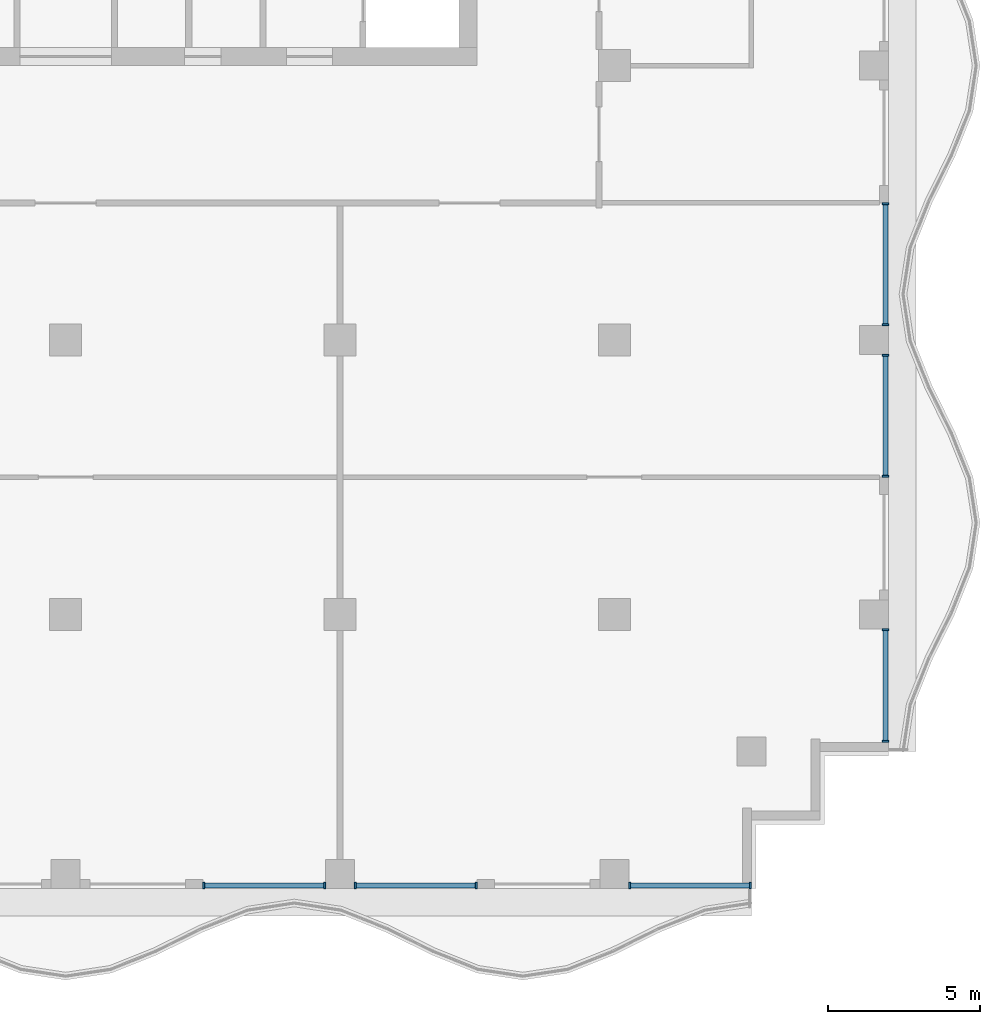
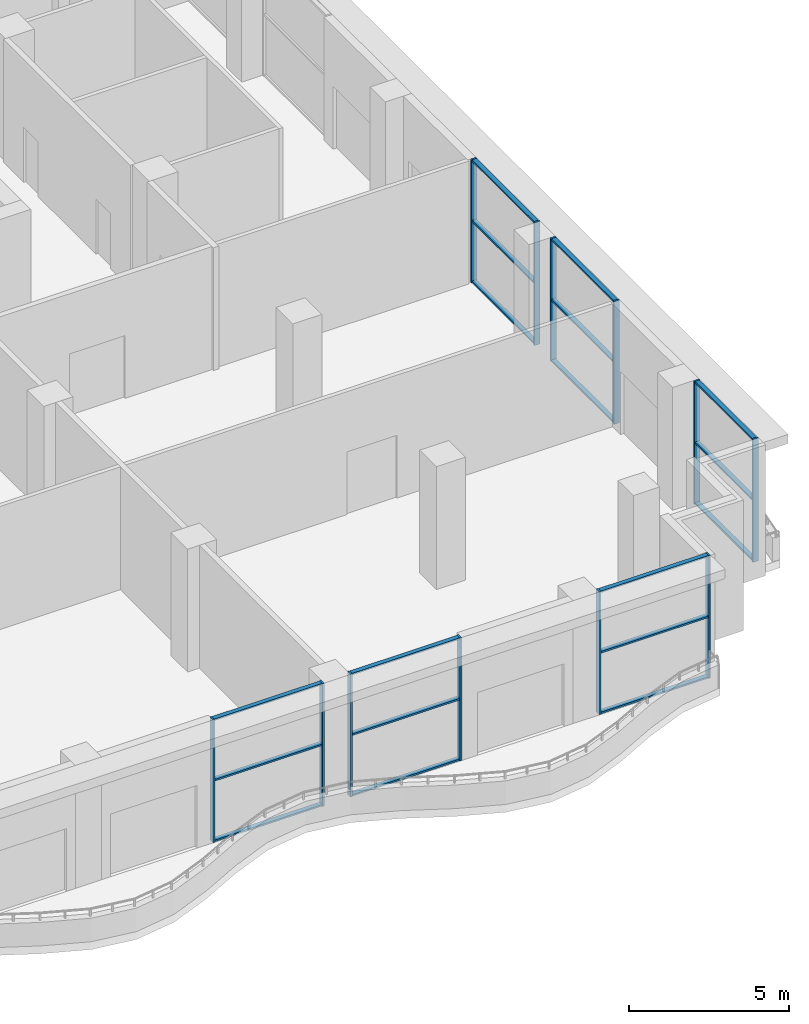
# One storey, part 3 of 15: 30 members, 6 elements without a shape of their own.
"""IFC4 building model written with IfcOpenShell, lengths in metres."""

from ifc_helpers import new_model, si_unit, direction, frame, origin, origin_2d, place, context, subcontext, project, spatial, rectangle, extrude, material, material_profile, profile_set, type_object, element, aggregate, save


model = new_model("IFC4")

# Units and contexts
model_context = context("Model", 3, precision=1e-05, world=origin(), true_north=direction((0.0, 1.0)))
body_context = subcontext(model_context, "Body", "Model", "MODEL_VIEW")
ifc_project = project(units=[si_unit("LENGTHUNIT", "METRE"), si_unit("AREAUNIT", "SQUARE_METRE"), si_unit("VOLUMEUNIT", "CUBIC_METRE"), si_unit("PLANEANGLEUNIT", "RADIAN"), si_unit("MASSUNIT", "GRAM", prefix="KILO")], contexts=[model_context])

# Site, building, storey
site_placement = place(None, origin())
site = spatial("IfcSite", under=ifc_project, at=site_placement, CompositionType="ELEMENT")
building_placement = place(site_placement, origin())
building = spatial("IfcBuilding", under=site, at=building_placement, Name="Orbiselva Terraces", CompositionType="ELEMENT")
storey_placement = place(building_placement, frame((0.0, 0.0, 233.8)))
storey = spatial("IfcBuildingStorey", under=building, at=storey_placement, Name="L59", CompositionType="ELEMENT", Elevation=233.8)

# Curtain wall, members
ifc_material_1 = material(Name="Clear low-e glazing in aluminium frame", Category="aluminium")
curtain_wall_type = type_object("IfcCurtainWallType", Name="ENV-CW-SKY", PredefinedType="NOTDEFINED", material=ifc_material_1)
curtain_wall_1_placement = place(storey_placement, origin())
curtain_wall_1 = element("IfcCurtainWall", 1, at=curtain_wall_1_placement, inside=storey, type_object=curtain_wall_type, Name="Curtain wall L59 S", PredefinedType="NOTDEFINED")
ifc_material_2 = material(Name="Anodised aluminium", Category="aluminium")
ifc_material_profile_1 = material_profile(ifc_material_2, rectangle(XDim=0.2, YDim=0.065, at=origin_2d()), Name="AL 65x200")
ifc_profile_set_1 = profile_set([ifc_material_profile_1], Name="Anodised aluminium")
member_type_1 = type_object("IfcMemberType", Name="ENV-CW-SKY-MULLION-65x200", PredefinedType="MULLION", material=ifc_profile_set_1)
member_1_placement = place(storey_placement, frame((4.5325, -22.4, 0.0), z_axis=(0.0, 0.0, 1.0), x_axis=(0.0, 1.0, 0.0)))
member_1 = element("IfcMember", 2, at=member_1_placement, type_object=member_type_1, Name="CW3 mullion 1", PredefinedType="MULLION", context=body_context, shape_type="SweptSolid", body=[
    extrude(rectangle(XDim=0.2, YDim=0.065, at=origin_2d()), origin(), (0.0, 0.0, 1.0), 4.7),
])
member_2_placement = place(storey_placement, frame((8.4925, -22.4, 0.0), z_axis=(0.0, 0.0, 1.0), x_axis=(0.0, 1.0, 0.0)))
member_2 = element("IfcMember", 3, at=member_2_placement, type_object=member_type_1, Name="CW3 mullion 2", PredefinedType="MULLION", context=body_context, shape_type="SweptSolid", body=[
    extrude(rectangle(XDim=0.2, YDim=0.065, at=origin_2d()), origin(), (0.0, 0.0, 1.0), 4.7),
])

curtain_wall_2_placement = place(storey_placement, origin())
curtain_wall_2 = element("IfcCurtainWall", 4, at=curtain_wall_2_placement, inside=storey, type_object=curtain_wall_type, Name="Curtain wall L59 S", PredefinedType="NOTDEFINED")
member_3_placement = place(storey_placement, frame((9.5075, -22.4, 0.0), z_axis=(0.0, 0.0, 1.0), x_axis=(0.0, 1.0, 0.0)))
member_3 = element("IfcMember", 5, at=member_3_placement, type_object=member_type_1, Name="CW3 mullion 1", PredefinedType="MULLION", context=body_context, shape_type="SweptSolid", body=[
    extrude(rectangle(XDim=0.2, YDim=0.065, at=origin_2d()), origin(), (0.0, 0.0, 1.0), 4.7),
])
member_4_placement = place(storey_placement, frame((13.4675, -22.4, 0.0), z_axis=(0.0, 0.0, 1.0), x_axis=(0.0, 1.0, 0.0)))
member_4 = element("IfcMember", 6, at=member_4_placement, type_object=member_type_1, Name="CW3 mullion 2", PredefinedType="MULLION", context=body_context, shape_type="SweptSolid", body=[
    extrude(rectangle(XDim=0.2, YDim=0.065, at=origin_2d()), origin(), (0.0, 0.0, 1.0), 4.7),
])

curtain_wall_3_placement = place(storey_placement, origin())
curtain_wall_3 = element("IfcCurtainWall", 7, at=curtain_wall_3_placement, inside=storey, type_object=curtain_wall_type, Name="Curtain wall L59 S", PredefinedType="NOTDEFINED")
member_5_placement = place(storey_placement, frame((18.5075, -22.4, 0.0), z_axis=(0.0, 0.0, 1.0), x_axis=(0.0, 1.0, 0.0)))
member_5 = element("IfcMember", 8, at=member_5_placement, type_object=member_type_1, Name="CW3 mullion 1", PredefinedType="MULLION", context=body_context, shape_type="SweptSolid", body=[
    extrude(rectangle(XDim=0.2, YDim=0.065, at=origin_2d()), origin(), (0.0, 0.0, 1.0), 4.7),
])
member_6_placement = place(storey_placement, frame((22.4675, -22.4, 0.0), z_axis=(0.0, 0.0, 1.0), x_axis=(0.0, 1.0, 0.0)))
member_6 = element("IfcMember", 9, at=member_6_placement, type_object=member_type_1, Name="CW3 mullion 2", PredefinedType="MULLION", context=body_context, shape_type="SweptSolid", body=[
    extrude(rectangle(XDim=0.2, YDim=0.065, at=origin_2d()), origin(), (0.0, 0.0, 1.0), 4.7),
])

curtain_wall_4_placement = place(storey_placement, origin())
curtain_wall_4 = element("IfcCurtainWall", 10, at=curtain_wall_4_placement, inside=storey, type_object=curtain_wall_type, Name="Curtain wall L59 E", PredefinedType="NOTDEFINED")
member_7_placement = place(storey_placement, frame((26.9, -17.6675, 0.0), z_axis=(0.0, 0.0, 1.0), x_axis=(-1.0, 0.0, 0.0)))
member_7 = element("IfcMember", 11, at=member_7_placement, type_object=member_type_1, Name="CW3 mullion 1", PredefinedType="MULLION", context=body_context, shape_type="SweptSolid", body=[
    extrude(rectangle(XDim=0.2, YDim=0.065, at=origin_2d()), origin(), (0.0, 0.0, 1.0), 4.7),
])
member_8_placement = place(storey_placement, frame((26.9, -14.0075, 0.0), z_axis=(0.0, 0.0, 1.0), x_axis=(-1.0, 0.0, 0.0)))
member_8 = element("IfcMember", 12, at=member_8_placement, type_object=member_type_1, Name="CW3 mullion 2", PredefinedType="MULLION", context=body_context, shape_type="SweptSolid", body=[
    extrude(rectangle(XDim=0.2, YDim=0.065, at=origin_2d()), origin(), (0.0, 0.0, 1.0), 4.7),
])

curtain_wall_5_placement = place(storey_placement, origin())
curtain_wall_5 = element("IfcCurtainWall", 13, at=curtain_wall_5_placement, inside=storey, type_object=curtain_wall_type, Name="Curtain wall L59 E", PredefinedType="NOTDEFINED")
member_9_placement = place(storey_placement, frame((26.9, -8.9675, 0.0), z_axis=(0.0, 0.0, 1.0), x_axis=(-1.0, 0.0, 0.0)))
member_9 = element("IfcMember", 14, at=member_9_placement, type_object=member_type_1, Name="CW3 mullion 1", PredefinedType="MULLION", context=body_context, shape_type="SweptSolid", body=[
    extrude(rectangle(XDim=0.2, YDim=0.065, at=origin_2d()), origin(), (0.0, 0.0, 1.0), 4.7),
])
member_10_placement = place(storey_placement, frame((26.9, -5.0075, 0.0), z_axis=(0.0, 0.0, 1.0), x_axis=(-1.0, 0.0, 0.0)))
member_10 = element("IfcMember", 15, at=member_10_placement, type_object=member_type_1, Name="CW3 mullion 2", PredefinedType="MULLION", context=body_context, shape_type="SweptSolid", body=[
    extrude(rectangle(XDim=0.2, YDim=0.065, at=origin_2d()), origin(), (0.0, 0.0, 1.0), 4.7),
])

curtain_wall_6_placement = place(storey_placement, origin())
curtain_wall_6 = element("IfcCurtainWall", 16, at=curtain_wall_6_placement, inside=storey, type_object=curtain_wall_type, Name="Curtain wall L59 E", PredefinedType="NOTDEFINED")
member_11_placement = place(storey_placement, frame((26.9, -3.9925, 0.0), z_axis=(0.0, 0.0, 1.0), x_axis=(-1.0, 0.0, 0.0)))
member_11 = element("IfcMember", 17, at=member_11_placement, type_object=member_type_1, Name="CW3 mullion 1", PredefinedType="MULLION", context=body_context, shape_type="SweptSolid", body=[
    extrude(rectangle(XDim=0.2, YDim=0.065, at=origin_2d()), origin(), (0.0, 0.0, 1.0), 4.7),
])
member_12_placement = place(storey_placement, frame((26.9, -0.0325, 0.0), z_axis=(0.0, 0.0, 1.0), x_axis=(-1.0, 0.0, 0.0)))
member_12 = element("IfcMember", 18, at=member_12_placement, type_object=member_type_1, Name="CW3 mullion 2", PredefinedType="MULLION", context=body_context, shape_type="SweptSolid", body=[
    extrude(rectangle(XDim=0.2, YDim=0.065, at=origin_2d()), origin(), (0.0, 0.0, 1.0), 4.7),
])

# Member
ifc_material_profile_2 = material_profile(ifc_material_2, rectangle(XDim=0.16, YDim=0.065, at=origin_2d()), Name="AL 65x160")
ifc_profile_set_2 = profile_set([ifc_material_profile_2], Name="Anodised aluminium")
member_type_2 = type_object("IfcMemberType", Name="ENV-CW-SKY-TRANSOM-65x160", PredefinedType="USERDEFINED", material=ifc_profile_set_2)
member_13_placement = place(storey_placement, frame((4.565, -22.4, 0.0325), z_axis=(1.0, 0.0, 0.0), x_axis=(0.0, 1.0, 0.0)))
member_13 = element("IfcMember", 19, at=member_13_placement, type_object=member_type_2, Name="CW3 transom 1.1", ObjectType="TRANSOM", PredefinedType="USERDEFINED", context=body_context, shape_type="SweptSolid", body=[
    extrude(rectangle(XDim=0.16, YDim=0.065, at=origin_2d()), origin(), (0.0, 0.0, 1.0), 3.895),
])

member_14_placement = place(storey_placement, frame((4.565, -22.4, 2.35), z_axis=(1.0, 0.0, 0.0), x_axis=(0.0, 1.0, 0.0)))
member_14 = element("IfcMember", 20, at=member_14_placement, type_object=member_type_2, Name="CW3 transom 1.2", ObjectType="TRANSOM", PredefinedType="USERDEFINED", context=body_context, shape_type="SweptSolid", body=[
    extrude(rectangle(XDim=0.16, YDim=0.065, at=origin_2d()), origin(), (0.0, 0.0, 1.0), 3.895),
])

member_15_placement = place(storey_placement, frame((4.565, -22.4, 4.6675), z_axis=(1.0, 0.0, 0.0), x_axis=(0.0, 1.0, 0.0)))
member_15 = element("IfcMember", 21, at=member_15_placement, type_object=member_type_2, Name="CW3 transom 1.3", ObjectType="TRANSOM", PredefinedType="USERDEFINED", context=body_context, shape_type="SweptSolid", body=[
    extrude(rectangle(XDim=0.16, YDim=0.065, at=origin_2d()), origin(), (0.0, 0.0, 1.0), 3.895),
])

aggregate(curtain_wall_1, [member_1, member_2, member_13, member_14, member_15])

member_16_placement = place(storey_placement, frame((9.54, -22.4, 0.0325), z_axis=(1.0, 0.0, 0.0), x_axis=(0.0, 1.0, 0.0)))
member_16 = element("IfcMember", 22, at=member_16_placement, type_object=member_type_2, Name="CW3 transom 1.1", ObjectType="TRANSOM", PredefinedType="USERDEFINED", context=body_context, shape_type="SweptSolid", body=[
    extrude(rectangle(XDim=0.16, YDim=0.065, at=origin_2d()), origin(), (0.0, 0.0, 1.0), 3.895),
])

member_17_placement = place(storey_placement, frame((9.54, -22.4, 2.35), z_axis=(1.0, 0.0, 0.0), x_axis=(0.0, 1.0, 0.0)))
member_17 = element("IfcMember", 23, at=member_17_placement, type_object=member_type_2, Name="CW3 transom 1.2", ObjectType="TRANSOM", PredefinedType="USERDEFINED", context=body_context, shape_type="SweptSolid", body=[
    extrude(rectangle(XDim=0.16, YDim=0.065, at=origin_2d()), origin(), (0.0, 0.0, 1.0), 3.895),
])

member_18_placement = place(storey_placement, frame((9.54, -22.4, 4.6675), z_axis=(1.0, 0.0, 0.0), x_axis=(0.0, 1.0, 0.0)))
member_18 = element("IfcMember", 24, at=member_18_placement, type_object=member_type_2, Name="CW3 transom 1.3", ObjectType="TRANSOM", PredefinedType="USERDEFINED", context=body_context, shape_type="SweptSolid", body=[
    extrude(rectangle(XDim=0.16, YDim=0.065, at=origin_2d()), origin(), (0.0, 0.0, 1.0), 3.895),
])

aggregate(curtain_wall_2, [member_3, member_4, member_16, member_17, member_18])

member_19_placement = place(storey_placement, frame((18.54, -22.4, 0.0325), z_axis=(1.0, 0.0, 0.0), x_axis=(0.0, 1.0, 0.0)))
member_19 = element("IfcMember", 25, at=member_19_placement, type_object=member_type_2, Name="CW3 transom 1.1", ObjectType="TRANSOM", PredefinedType="USERDEFINED", context=body_context, shape_type="SweptSolid", body=[
    extrude(rectangle(XDim=0.16, YDim=0.065, at=origin_2d()), origin(), (0.0, 0.0, 1.0), 3.895),
])

member_20_placement = place(storey_placement, frame((18.54, -22.4, 2.35), z_axis=(1.0, 0.0, 0.0), x_axis=(0.0, 1.0, 0.0)))
member_20 = element("IfcMember", 26, at=member_20_placement, type_object=member_type_2, Name="CW3 transom 1.2", ObjectType="TRANSOM", PredefinedType="USERDEFINED", context=body_context, shape_type="SweptSolid", body=[
    extrude(rectangle(XDim=0.16, YDim=0.065, at=origin_2d()), origin(), (0.0, 0.0, 1.0), 3.895),
])

member_21_placement = place(storey_placement, frame((18.54, -22.4, 4.6675), z_axis=(1.0, 0.0, 0.0), x_axis=(0.0, 1.0, 0.0)))
member_21 = element("IfcMember", 27, at=member_21_placement, type_object=member_type_2, Name="CW3 transom 1.3", ObjectType="TRANSOM", PredefinedType="USERDEFINED", context=body_context, shape_type="SweptSolid", body=[
    extrude(rectangle(XDim=0.16, YDim=0.065, at=origin_2d()), origin(), (0.0, 0.0, 1.0), 3.895),
])

aggregate(curtain_wall_3, [member_5, member_6, member_19, member_20, member_21])

member_22_placement = place(storey_placement, frame((26.9, -17.635, 0.0325), z_axis=(0.0, 1.0, 0.0), x_axis=(-1.0, 0.0, 0.0)))
member_22 = element("IfcMember", 28, at=member_22_placement, type_object=member_type_2, Name="CW3 transom 1.1", ObjectType="TRANSOM", PredefinedType="USERDEFINED", context=body_context, shape_type="SweptSolid", body=[
    extrude(rectangle(XDim=0.16, YDim=0.065, at=origin_2d()), origin(), (0.0, 0.0, 1.0), 3.595),
])

member_23_placement = place(storey_placement, frame((26.9, -17.635, 2.35), z_axis=(0.0, 1.0, 0.0), x_axis=(-1.0, 0.0, 0.0)))
member_23 = element("IfcMember", 29, at=member_23_placement, type_object=member_type_2, Name="CW3 transom 1.2", ObjectType="TRANSOM", PredefinedType="USERDEFINED", context=body_context, shape_type="SweptSolid", body=[
    extrude(rectangle(XDim=0.16, YDim=0.065, at=origin_2d()), origin(), (0.0, 0.0, 1.0), 3.595),
])

member_24_placement = place(storey_placement, frame((26.9, -17.635, 4.6675), z_axis=(0.0, 1.0, 0.0), x_axis=(-1.0, 0.0, 0.0)))
member_24 = element("IfcMember", 30, at=member_24_placement, type_object=member_type_2, Name="CW3 transom 1.3", ObjectType="TRANSOM", PredefinedType="USERDEFINED", context=body_context, shape_type="SweptSolid", body=[
    extrude(rectangle(XDim=0.16, YDim=0.065, at=origin_2d()), origin(), (0.0, 0.0, 1.0), 3.595),
])

aggregate(curtain_wall_4, [member_7, member_8, member_22, member_23, member_24])

member_25_placement = place(storey_placement, frame((26.9, -8.935, 0.0325), z_axis=(0.0, 1.0, 0.0), x_axis=(-1.0, 0.0, 0.0)))
member_25 = element("IfcMember", 31, at=member_25_placement, type_object=member_type_2, Name="CW3 transom 1.1", ObjectType="TRANSOM", PredefinedType="USERDEFINED", context=body_context, shape_type="SweptSolid", body=[
    extrude(rectangle(XDim=0.16, YDim=0.065, at=origin_2d()), origin(), (0.0, 0.0, 1.0), 3.895),
])

member_26_placement = place(storey_placement, frame((26.9, -8.935, 2.35), z_axis=(0.0, 1.0, 0.0), x_axis=(-1.0, 0.0, 0.0)))
member_26 = element("IfcMember", 32, at=member_26_placement, type_object=member_type_2, Name="CW3 transom 1.2", ObjectType="TRANSOM", PredefinedType="USERDEFINED", context=body_context, shape_type="SweptSolid", body=[
    extrude(rectangle(XDim=0.16, YDim=0.065, at=origin_2d()), origin(), (0.0, 0.0, 1.0), 3.895),
])

member_27_placement = place(storey_placement, frame((26.9, -8.935, 4.6675), z_axis=(0.0, 1.0, 0.0), x_axis=(-1.0, 0.0, 0.0)))
member_27 = element("IfcMember", 33, at=member_27_placement, type_object=member_type_2, Name="CW3 transom 1.3", ObjectType="TRANSOM", PredefinedType="USERDEFINED", context=body_context, shape_type="SweptSolid", body=[
    extrude(rectangle(XDim=0.16, YDim=0.065, at=origin_2d()), origin(), (0.0, 0.0, 1.0), 3.895),
])

aggregate(curtain_wall_5, [member_9, member_10, member_25, member_26, member_27])

member_28_placement = place(storey_placement, frame((26.9, -3.96, 0.0325), z_axis=(0.0, 1.0, 0.0), x_axis=(-1.0, 0.0, 0.0)))
member_28 = element("IfcMember", 34, at=member_28_placement, type_object=member_type_2, Name="CW3 transom 1.1", ObjectType="TRANSOM", PredefinedType="USERDEFINED", context=body_context, shape_type="SweptSolid", body=[
    extrude(rectangle(XDim=0.16, YDim=0.065, at=origin_2d()), origin(), (0.0, 0.0, 1.0), 3.895),
])

member_29_placement = place(storey_placement, frame((26.9, -3.96, 2.35), z_axis=(0.0, 1.0, 0.0), x_axis=(-1.0, 0.0, 0.0)))
member_29 = element("IfcMember", 35, at=member_29_placement, type_object=member_type_2, Name="CW3 transom 1.2", ObjectType="TRANSOM", PredefinedType="USERDEFINED", context=body_context, shape_type="SweptSolid", body=[
    extrude(rectangle(XDim=0.16, YDim=0.065, at=origin_2d()), origin(), (0.0, 0.0, 1.0), 3.895),
])

member_30_placement = place(storey_placement, frame((26.9, -3.96, 4.6675), z_axis=(0.0, 1.0, 0.0), x_axis=(-1.0, 0.0, 0.0)))
member_30 = element("IfcMember", 36, at=member_30_placement, type_object=member_type_2, Name="CW3 transom 1.3", ObjectType="TRANSOM", PredefinedType="USERDEFINED", context=body_context, shape_type="SweptSolid", body=[
    extrude(rectangle(XDim=0.16, YDim=0.065, at=origin_2d()), origin(), (0.0, 0.0, 1.0), 3.895),
])

aggregate(curtain_wall_6, [member_11, member_12, member_28, member_29, member_30])

save(model, "model.ifc")
